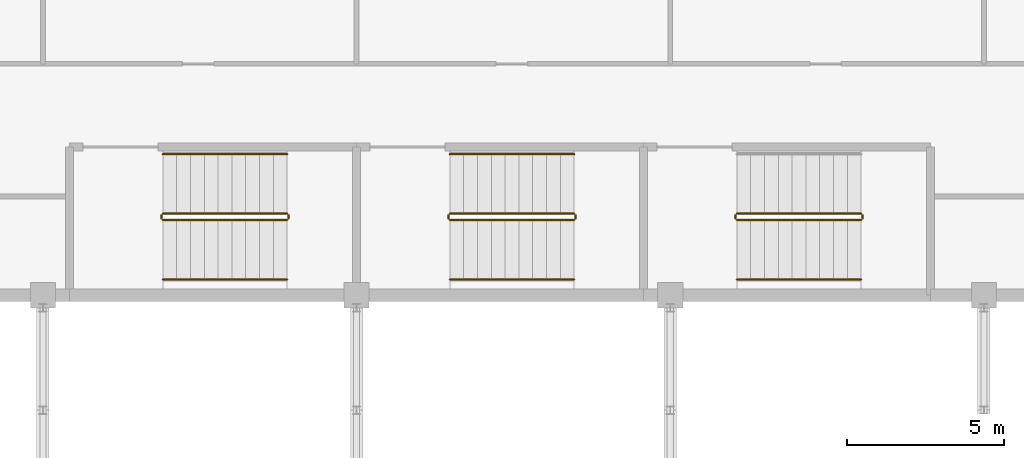
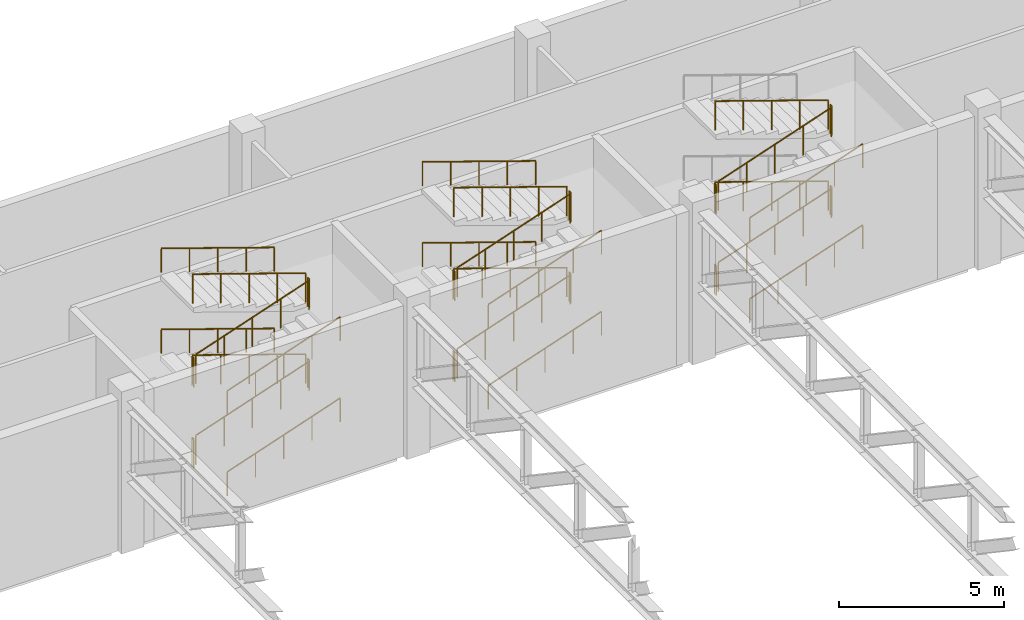
# One storey, part 50 of 51: 34 railings.
"""IFC4 building model written with IfcOpenShell, lengths in metres."""

from ifc_helpers import new_model, si_unit, direction, frame, origin, origin_2d, place, context, subcontext, project, spatial, circle, extrude, material, type_object, element, save


model = new_model("IFC4")

# Units and contexts
model_context = context("Model", 3, precision=1e-05, world=origin(), true_north=direction((0.0, 1.0)))
body_context = subcontext(model_context, "Body", "Model", "MODEL_VIEW")
ifc_project = project(units=[si_unit("LENGTHUNIT", "METRE"), si_unit("AREAUNIT", "SQUARE_METRE"), si_unit("VOLUMEUNIT", "CUBIC_METRE"), si_unit("PLANEANGLEUNIT", "RADIAN"), si_unit("MASSUNIT", "GRAM", prefix="KILO")], contexts=[model_context])

# Site, building, storey
site_placement = place(None, origin())
site = spatial("IfcSite", under=ifc_project, at=site_placement, CompositionType="ELEMENT")
building_placement = place(site_placement, origin())
building = spatial("IfcBuilding", under=site, at=building_placement, Name="Jabali Bay Hotel Tower and Convention Centre", CompositionType="ELEMENT")
storey_placement = place(building_placement, frame((0.0, 0.0, 9.0)))
storey = spatial("IfcBuildingStorey", under=building, at=storey_placement, Name="L01", CompositionType="ELEMENT", Elevation=9.0)

# Railings
ifc_material = material(Name="Stainless steel 304", Category="steel")
railing_type_1 = type_object("IfcRailingType", Name="CC Stair Guard 1100", PredefinedType="GUARDRAIL", material=ifc_material)
railing_1_placement = place(storey_placement, frame((184.52490234375, 102.39990234375, 0.14990234375)))
element("IfcRailing", 1, at=railing_1_placement, inside=storey, type_object=railing_type_1, Name="L01 CC-STN1 stair guard 1", PredefinedType="GUARDRAIL", context=body_context, shape_type="SweptSolid", body=[
    extrude(circle(Radius=0.02392578125, at=origin_2d()), frame((0.0, 0.0, 1.076171875), z_axis=(0.946508163028, 0.0, 0.322679868168), x_axis=(0.0, 1.0, 0.0)), (0.0, 0.0, 1.0), 4.18408203125),
    extrude(circle(Radius=0.02099609375, at=origin_2d()), origin(), (0.0, 0.0, 1.0), 1.052001953125),
    extrude(circle(Radius=0.02099609375, at=origin_2d()), frame((0.989990234375, 0.0, 0.33740234375)), (0.0, 0.0, 1.0), 1.052001953125),
    extrude(circle(Radius=0.02099609375, at=origin_2d()), frame((1.97998046875, 0.0, 0.675048828125)), (0.0, 0.0, 1.0), 1.052001953125),
    extrude(circle(Radius=0.02099609375, at=origin_2d()), frame((2.97021484375, 0.0, 1.0126953125)), (0.0, 0.0, 1.0), 1.052001953125),
    extrude(circle(Radius=0.02099609375, at=origin_2d()), frame((3.960205078125, 0.0, 1.35009765625)), (0.0, 0.0, 1.0), 1.052001953125),
])
railing_2_placement = place(storey_placement, frame((188.534912109375, 102.449951171875, 1.5)))
element("IfcRailing", 2, at=railing_2_placement, inside=storey, type_object=railing_type_1, Name="L01 CC-STN1 stair guard 2", PredefinedType="GUARDRAIL", context=body_context, shape_type="SweptSolid", body=[
    extrude(circle(Radius=0.02392578125, at=origin_2d()), frame((0.0, 0.0, 1.076171875), z_axis=(0.0, 1.0, 0.0), x_axis=(-1.0, 0.0, 0.0)), (0.0, 0.0, 1.0), 0.10009765625),
    extrude(circle(Radius=0.02099609375, at=origin_2d()), origin(), (0.0, 0.0, 1.0), 1.052001953125),
    extrude(circle(Radius=0.02099609375, at=origin_2d()), frame((0.0, 0.10009765625, 0.0)), (0.0, 0.0, 1.0), 1.052001953125),
])
railing_3_placement = place(storey_placement, frame((188.485107421875, 102.60009765625, 1.64990234375)))
element("IfcRailing", 3, at=railing_3_placement, inside=storey, type_object=railing_type_1, Name="L01 CC-STN1 stair guard 3", PredefinedType="GUARDRAIL", context=body_context, shape_type="SweptSolid", body=[
    extrude(circle(Radius=0.02392578125, at=origin_2d()), frame((0.0, 0.0, 1.076171875), z_axis=(-0.946508163028, 0.0, 0.322679868168), x_axis=(0.0, -1.0, 0.0)), (0.0, 0.0, 1.0), 4.18408203125),
    extrude(circle(Radius=0.02099609375, at=origin_2d()), origin(), (0.0, 0.0, 1.0), 1.052001953125),
    extrude(circle(Radius=0.02099609375, at=origin_2d()), frame((-0.989990234375, 0.0, 0.33740234375)), (0.0, 0.0, 1.0), 1.052001953125),
    extrude(circle(Radius=0.02099609375, at=origin_2d()), frame((-1.97998046875, 0.0, 0.675048828125)), (0.0, 0.0, 1.0), 1.052001953125),
    extrude(circle(Radius=0.02099609375, at=origin_2d()), frame((-2.97021484375, 0.0, 1.0126953125)), (0.0, 0.0, 1.0), 1.052001953125),
    extrude(circle(Radius=0.02099609375, at=origin_2d()), frame((-3.960205078125, 0.0, 1.35009765625)), (0.0, 0.0, 1.0), 1.052001953125),
])
railing_4_placement = place(storey_placement, frame((184.47509765625, 102.449951171875, 3.0)))
element("IfcRailing", 4, at=railing_4_placement, inside=storey, type_object=railing_type_1, Name="L01 CC-STN1 stair guard 4", PredefinedType="GUARDRAIL", context=body_context, shape_type="SweptSolid", body=[
    extrude(circle(Radius=0.02392578125, at=origin_2d()), frame((0.0, 0.0, 1.076171875), z_axis=(0.0, 1.0, 0.0), x_axis=(-1.0, 0.0, 0.0)), (0.0, 0.0, 1.0), 0.10009765625),
    extrude(circle(Radius=0.02099609375, at=origin_2d()), origin(), (0.0, 0.0, 1.0), 1.052001953125),
    extrude(circle(Radius=0.02099609375, at=origin_2d()), frame((0.0, 0.10009765625, 0.0)), (0.0, 0.0, 1.0), 1.052001953125),
])
railing_5_placement = place(storey_placement, frame((184.52490234375, 102.39990234375, 3.14990234375)))
element("IfcRailing", 5, at=railing_5_placement, inside=storey, type_object=railing_type_1, Name="L01 CC-STN1 stair guard 5", PredefinedType="GUARDRAIL", context=body_context, shape_type="SweptSolid", body=[
    extrude(circle(Radius=0.02392578125, at=origin_2d()), frame((0.0, 0.0, 1.076171875), z_axis=(0.946508163028, 0.0, 0.322679868168), x_axis=(0.0, 1.0, 0.0)), (0.0, 0.0, 1.0), 4.18408203125),
    extrude(circle(Radius=0.02099609375, at=origin_2d()), origin(), (0.0, 0.0, 1.0), 1.052001953125),
    extrude(circle(Radius=0.02099609375, at=origin_2d()), frame((0.989990234375, 0.0, 0.33740234375)), (0.0, 0.0, 1.0), 1.052001953125),
    extrude(circle(Radius=0.02099609375, at=origin_2d()), frame((1.97998046875, 0.0, 0.675048828125)), (0.0, 0.0, 1.0), 1.052001953125),
    extrude(circle(Radius=0.02099609375, at=origin_2d()), frame((2.97021484375, 0.0, 1.0126953125)), (0.0, 0.0, 1.0), 1.052001953125),
    extrude(circle(Radius=0.02099609375, at=origin_2d()), frame((3.960205078125, 0.0, 1.35009765625)), (0.0, 0.0, 1.0), 1.052001953125),
])
railing_6_placement = place(storey_placement, frame((188.534912109375, 102.449951171875, 4.5)))
element("IfcRailing", 6, at=railing_6_placement, inside=storey, type_object=railing_type_1, Name="L01 CC-STN1 stair guard 6", PredefinedType="GUARDRAIL", context=body_context, shape_type="SweptSolid", body=[
    extrude(circle(Radius=0.02392578125, at=origin_2d()), frame((0.0, 0.0, 1.076171875), z_axis=(0.0, 1.0, 0.0), x_axis=(-1.0, 0.0, 0.0)), (0.0, 0.0, 1.0), 0.10009765625),
    extrude(circle(Radius=0.02099609375, at=origin_2d()), origin(), (0.0, 0.0, 1.0), 1.052001953125),
    extrude(circle(Radius=0.02099609375, at=origin_2d()), frame((0.0, 0.10009765625, 0.0)), (0.0, 0.0, 1.0), 1.052001953125),
])
railing_7_placement = place(storey_placement, frame((188.485107421875, 102.60009765625, 4.64990234375)))
element("IfcRailing", 7, at=railing_7_placement, inside=storey, type_object=railing_type_1, Name="L01 CC-STN1 stair guard 7", PredefinedType="GUARDRAIL", context=body_context, shape_type="SweptSolid", body=[
    extrude(circle(Radius=0.02392578125, at=origin_2d()), frame((0.0, 0.0, 1.076171875), z_axis=(-0.946508163028, 0.0, 0.322679868168), x_axis=(0.0, -1.0, 0.0)), (0.0, 0.0, 1.0), 4.18408203125),
    extrude(circle(Radius=0.02099609375, at=origin_2d()), origin(), (0.0, 0.0, 1.0), 1.052001953125),
    extrude(circle(Radius=0.02099609375, at=origin_2d()), frame((-0.989990234375, 0.0, 0.33740234375)), (0.0, 0.0, 1.0), 1.052001953125),
    extrude(circle(Radius=0.02099609375, at=origin_2d()), frame((-1.97998046875, 0.0, 0.675048828125)), (0.0, 0.0, 1.0), 1.052001953125),
    extrude(circle(Radius=0.02099609375, at=origin_2d()), frame((-2.97021484375, 0.0, 1.0126953125)), (0.0, 0.0, 1.0), 1.052001953125),
    extrude(circle(Radius=0.02099609375, at=origin_2d()), frame((-3.960205078125, 0.0, 1.35009765625)), (0.0, 0.0, 1.0), 1.052001953125),
])
railing_8_placement = place(storey_placement, frame((184.47509765625, 102.449951171875, 0.0)))
element("IfcRailing", 8, at=railing_8_placement, inside=storey, type_object=railing_type_1, Name="L01 CC-STN1 stair guard 8", PredefinedType="GUARDRAIL", context=body_context, shape_type="SweptSolid", body=[
    extrude(circle(Radius=0.02392578125, at=origin_2d()), frame((0.0, 0.0, 1.076171875), z_axis=(0.0, 1.0, 0.0), x_axis=(-1.0, 0.0, 0.0)), (0.0, 0.0, 1.0), 0.10009765625),
    extrude(circle(Radius=0.02099609375, at=origin_2d()), origin(), (0.0, 0.0, 1.0), 1.052001953125),
    extrude(circle(Radius=0.02099609375, at=origin_2d()), frame((0.0, 0.10009765625, 0.0)), (0.0, 0.0, 1.0), 1.052001953125),
])
railing_9_placement = place(storey_placement, frame((193.675048828125, 102.39990234375, 0.14990234375)))
element("IfcRailing", 9, at=railing_9_placement, inside=storey, type_object=railing_type_1, Name="L01 CC-STN2 stair guard 1", PredefinedType="GUARDRAIL", context=body_context, shape_type="SweptSolid", body=[
    extrude(circle(Radius=0.02392578125, at=origin_2d()), frame((0.0, 0.0, 1.076171875), z_axis=(0.946502086907, 0.0, 0.322697690542), x_axis=(0.0, 1.0, 0.0)), (0.0, 0.0, 1.0), 4.183837890625),
    extrude(circle(Radius=0.02099609375, at=origin_2d()), origin(), (0.0, 0.0, 1.0), 1.052001953125),
    extrude(circle(Radius=0.02099609375, at=origin_2d()), frame((0.989990234375, 0.0, 0.33740234375)), (0.0, 0.0, 1.0), 1.052001953125),
    extrude(circle(Radius=0.02099609375, at=origin_2d()), frame((1.97998046875, 0.0, 0.675048828125)), (0.0, 0.0, 1.0), 1.052001953125),
    extrude(circle(Radius=0.02099609375, at=origin_2d()), frame((2.969970703125, 0.0, 1.0126953125)), (0.0, 0.0, 1.0), 1.052001953125),
    extrude(circle(Radius=0.02099609375, at=origin_2d()), frame((3.9599609375, 0.0, 1.35009765625)), (0.0, 0.0, 1.0), 1.052001953125),
])
railing_10_placement = place(storey_placement, frame((197.68505859375, 102.449951171875, 1.5)))
element("IfcRailing", 10, at=railing_10_placement, inside=storey, type_object=railing_type_1, Name="L01 CC-STN2 stair guard 2", PredefinedType="GUARDRAIL", context=body_context, shape_type="SweptSolid", body=[
    extrude(circle(Radius=0.02392578125, at=origin_2d()), frame((0.0, 0.0, 1.076171875), z_axis=(0.0, 1.0, 0.0), x_axis=(-1.0, 0.0, 0.0)), (0.0, 0.0, 1.0), 0.10009765625),
    extrude(circle(Radius=0.02099609375, at=origin_2d()), origin(), (0.0, 0.0, 1.0), 1.052001953125),
    extrude(circle(Radius=0.02099609375, at=origin_2d()), frame((0.0, 0.10009765625, 0.0)), (0.0, 0.0, 1.0), 1.052001953125),
])
railing_11_placement = place(storey_placement, frame((197.635009765625, 102.60009765625, 1.64990234375)))
element("IfcRailing", 11, at=railing_11_placement, inside=storey, type_object=railing_type_1, Name="L01 CC-STN2 stair guard 3", PredefinedType="GUARDRAIL", context=body_context, shape_type="SweptSolid", body=[
    extrude(circle(Radius=0.02392578125, at=origin_2d()), frame((0.0, 0.0, 1.076171875), z_axis=(-0.946502086907, 0.0, 0.322697690542), x_axis=(0.0, -1.0, 0.0)), (0.0, 0.0, 1.0), 4.183837890625),
    extrude(circle(Radius=0.02099609375, at=origin_2d()), origin(), (0.0, 0.0, 1.0), 1.052001953125),
    extrude(circle(Radius=0.02099609375, at=origin_2d()), frame((-0.989990234375, 0.0, 0.33740234375)), (0.0, 0.0, 1.0), 1.052001953125),
    extrude(circle(Radius=0.02099609375, at=origin_2d()), frame((-1.97998046875, 0.0, 0.675048828125)), (0.0, 0.0, 1.0), 1.052001953125),
    extrude(circle(Radius=0.02099609375, at=origin_2d()), frame((-2.969970703125, 0.0, 1.0126953125)), (0.0, 0.0, 1.0), 1.052001953125),
    extrude(circle(Radius=0.02099609375, at=origin_2d()), frame((-3.9599609375, 0.0, 1.35009765625)), (0.0, 0.0, 1.0), 1.052001953125),
])
railing_12_placement = place(storey_placement, frame((193.625, 102.449951171875, 3.0)))
element("IfcRailing", 12, at=railing_12_placement, inside=storey, type_object=railing_type_1, Name="L01 CC-STN2 stair guard 4", PredefinedType="GUARDRAIL", context=body_context, shape_type="SweptSolid", body=[
    extrude(circle(Radius=0.02392578125, at=origin_2d()), frame((0.0, 0.0, 1.076171875), z_axis=(0.0, 1.0, 0.0), x_axis=(-1.0, 0.0, 0.0)), (0.0, 0.0, 1.0), 0.10009765625),
    extrude(circle(Radius=0.02099609375, at=origin_2d()), origin(), (0.0, 0.0, 1.0), 1.052001953125),
    extrude(circle(Radius=0.02099609375, at=origin_2d()), frame((0.0, 0.10009765625, 0.0)), (0.0, 0.0, 1.0), 1.052001953125),
])
railing_13_placement = place(storey_placement, frame((193.675048828125, 102.39990234375, 3.14990234375)))
element("IfcRailing", 13, at=railing_13_placement, inside=storey, type_object=railing_type_1, Name="L01 CC-STN2 stair guard 5", PredefinedType="GUARDRAIL", context=body_context, shape_type="SweptSolid", body=[
    extrude(circle(Radius=0.02392578125, at=origin_2d()), frame((0.0, 0.0, 1.076171875), z_axis=(0.946502086907, 0.0, 0.322697690542), x_axis=(0.0, 1.0, 0.0)), (0.0, 0.0, 1.0), 4.183837890625),
    extrude(circle(Radius=0.02099609375, at=origin_2d()), origin(), (0.0, 0.0, 1.0), 1.052001953125),
    extrude(circle(Radius=0.02099609375, at=origin_2d()), frame((0.989990234375, 0.0, 0.33740234375)), (0.0, 0.0, 1.0), 1.052001953125),
    extrude(circle(Radius=0.02099609375, at=origin_2d()), frame((1.97998046875, 0.0, 0.675048828125)), (0.0, 0.0, 1.0), 1.052001953125),
    extrude(circle(Radius=0.02099609375, at=origin_2d()), frame((2.969970703125, 0.0, 1.0126953125)), (0.0, 0.0, 1.0), 1.052001953125),
    extrude(circle(Radius=0.02099609375, at=origin_2d()), frame((3.9599609375, 0.0, 1.35009765625)), (0.0, 0.0, 1.0), 1.052001953125),
])
railing_14_placement = place(storey_placement, frame((197.68505859375, 102.449951171875, 4.5)))
element("IfcRailing", 14, at=railing_14_placement, inside=storey, type_object=railing_type_1, Name="L01 CC-STN2 stair guard 6", PredefinedType="GUARDRAIL", context=body_context, shape_type="SweptSolid", body=[
    extrude(circle(Radius=0.02392578125, at=origin_2d()), frame((0.0, 0.0, 1.076171875), z_axis=(0.0, 1.0, 0.0), x_axis=(-1.0, 0.0, 0.0)), (0.0, 0.0, 1.0), 0.10009765625),
    extrude(circle(Radius=0.02099609375, at=origin_2d()), origin(), (0.0, 0.0, 1.0), 1.052001953125),
    extrude(circle(Radius=0.02099609375, at=origin_2d()), frame((0.0, 0.10009765625, 0.0)), (0.0, 0.0, 1.0), 1.052001953125),
])
railing_15_placement = place(storey_placement, frame((197.635009765625, 102.60009765625, 4.64990234375)))
element("IfcRailing", 15, at=railing_15_placement, inside=storey, type_object=railing_type_1, Name="L01 CC-STN2 stair guard 7", PredefinedType="GUARDRAIL", context=body_context, shape_type="SweptSolid", body=[
    extrude(circle(Radius=0.02392578125, at=origin_2d()), frame((0.0, 0.0, 1.076171875), z_axis=(-0.946502086907, 0.0, 0.322697690542), x_axis=(0.0, -1.0, 0.0)), (0.0, 0.0, 1.0), 4.183837890625),
    extrude(circle(Radius=0.02099609375, at=origin_2d()), origin(), (0.0, 0.0, 1.0), 1.052001953125),
    extrude(circle(Radius=0.02099609375, at=origin_2d()), frame((-0.989990234375, 0.0, 0.33740234375)), (0.0, 0.0, 1.0), 1.052001953125),
    extrude(circle(Radius=0.02099609375, at=origin_2d()), frame((-1.97998046875, 0.0, 0.675048828125)), (0.0, 0.0, 1.0), 1.052001953125),
    extrude(circle(Radius=0.02099609375, at=origin_2d()), frame((-2.969970703125, 0.0, 1.0126953125)), (0.0, 0.0, 1.0), 1.052001953125),
    extrude(circle(Radius=0.02099609375, at=origin_2d()), frame((-3.9599609375, 0.0, 1.35009765625)), (0.0, 0.0, 1.0), 1.052001953125),
])
railing_16_placement = place(storey_placement, frame((193.625, 102.449951171875, 0.0)))
element("IfcRailing", 16, at=railing_16_placement, inside=storey, type_object=railing_type_1, Name="L01 CC-STN2 stair guard 8", PredefinedType="GUARDRAIL", context=body_context, shape_type="SweptSolid", body=[
    extrude(circle(Radius=0.02392578125, at=origin_2d()), frame((0.0, 0.0, 1.076171875), z_axis=(0.0, 1.0, 0.0), x_axis=(-1.0, 0.0, 0.0)), (0.0, 0.0, 1.0), 0.10009765625),
    extrude(circle(Radius=0.02099609375, at=origin_2d()), origin(), (0.0, 0.0, 1.0), 1.052001953125),
    extrude(circle(Radius=0.02099609375, at=origin_2d()), frame((0.0, 0.10009765625, 0.0)), (0.0, 0.0, 1.0), 1.052001953125),
])
railing_17_placement = place(storey_placement, frame((202.824951171875, 102.39990234375, 0.14990234375)))
element("IfcRailing", 17, at=railing_17_placement, inside=storey, type_object=railing_type_1, Name="L01 CC-STN3 stair guard 1", PredefinedType="GUARDRAIL", context=body_context, shape_type="SweptSolid", body=[
    extrude(circle(Radius=0.02392578125, at=origin_2d()), frame((0.0, 0.0, 1.076171875), z_axis=(0.946502086907, 0.0, 0.322697690542), x_axis=(0.0, 1.0, 0.0)), (0.0, 0.0, 1.0), 4.183837890625),
    extrude(circle(Radius=0.02099609375, at=origin_2d()), origin(), (0.0, 0.0, 1.0), 1.052001953125),
    extrude(circle(Radius=0.02099609375, at=origin_2d()), frame((0.989990234375, 0.0, 0.33740234375)), (0.0, 0.0, 1.0), 1.052001953125),
    extrude(circle(Radius=0.02099609375, at=origin_2d()), frame((1.97998046875, 0.0, 0.675048828125)), (0.0, 0.0, 1.0), 1.052001953125),
    extrude(circle(Radius=0.02099609375, at=origin_2d()), frame((2.969970703125, 0.0, 1.0126953125)), (0.0, 0.0, 1.0), 1.052001953125),
    extrude(circle(Radius=0.02099609375, at=origin_2d()), frame((3.9599609375, 0.0, 1.35009765625)), (0.0, 0.0, 1.0), 1.052001953125),
])
railing_18_placement = place(storey_placement, frame((206.8349609375, 102.449951171875, 1.5)))
element("IfcRailing", 18, at=railing_18_placement, inside=storey, type_object=railing_type_1, Name="L01 CC-STN3 stair guard 2", PredefinedType="GUARDRAIL", context=body_context, shape_type="SweptSolid", body=[
    extrude(circle(Radius=0.02392578125, at=origin_2d()), frame((0.0, 0.0, 1.076171875), z_axis=(0.0, 1.0, 0.0), x_axis=(-1.0, 0.0, 0.0)), (0.0, 0.0, 1.0), 0.10009765625),
    extrude(circle(Radius=0.02099609375, at=origin_2d()), origin(), (0.0, 0.0, 1.0), 1.052001953125),
    extrude(circle(Radius=0.02099609375, at=origin_2d()), frame((0.0, 0.10009765625, 0.0)), (0.0, 0.0, 1.0), 1.052001953125),
])
railing_19_placement = place(storey_placement, frame((206.784912109375, 102.60009765625, 1.64990234375)))
element("IfcRailing", 19, at=railing_19_placement, inside=storey, type_object=railing_type_1, Name="L01 CC-STN3 stair guard 3", PredefinedType="GUARDRAIL", context=body_context, shape_type="SweptSolid", body=[
    extrude(circle(Radius=0.02392578125, at=origin_2d()), frame((0.0, 0.0, 1.076171875), z_axis=(-0.946502086907, 0.0, 0.322697690542), x_axis=(0.0, -1.0, 0.0)), (0.0, 0.0, 1.0), 4.183837890625),
    extrude(circle(Radius=0.02099609375, at=origin_2d()), origin(), (0.0, 0.0, 1.0), 1.052001953125),
    extrude(circle(Radius=0.02099609375, at=origin_2d()), frame((-0.989990234375, 0.0, 0.33740234375)), (0.0, 0.0, 1.0), 1.052001953125),
    extrude(circle(Radius=0.02099609375, at=origin_2d()), frame((-1.97998046875, 0.0, 0.675048828125)), (0.0, 0.0, 1.0), 1.052001953125),
    extrude(circle(Radius=0.02099609375, at=origin_2d()), frame((-2.969970703125, 0.0, 1.0126953125)), (0.0, 0.0, 1.0), 1.052001953125),
    extrude(circle(Radius=0.02099609375, at=origin_2d()), frame((-3.9599609375, 0.0, 1.35009765625)), (0.0, 0.0, 1.0), 1.052001953125),
])
railing_20_placement = place(storey_placement, frame((202.77490234375, 102.449951171875, 3.0)))
element("IfcRailing", 20, at=railing_20_placement, inside=storey, type_object=railing_type_1, Name="L01 CC-STN3 stair guard 4", PredefinedType="GUARDRAIL", context=body_context, shape_type="SweptSolid", body=[
    extrude(circle(Radius=0.02392578125, at=origin_2d()), frame((0.0, 0.0, 1.076171875), z_axis=(0.0, 1.0, 0.0), x_axis=(-1.0, 0.0, 0.0)), (0.0, 0.0, 1.0), 0.10009765625),
    extrude(circle(Radius=0.02099609375, at=origin_2d()), origin(), (0.0, 0.0, 1.0), 1.052001953125),
    extrude(circle(Radius=0.02099609375, at=origin_2d()), frame((0.0, 0.10009765625, 0.0)), (0.0, 0.0, 1.0), 1.052001953125),
])
railing_21_placement = place(storey_placement, frame((202.824951171875, 102.39990234375, 3.14990234375)))
element("IfcRailing", 21, at=railing_21_placement, inside=storey, type_object=railing_type_1, Name="L01 CC-STN3 stair guard 5", PredefinedType="GUARDRAIL", context=body_context, shape_type="SweptSolid", body=[
    extrude(circle(Radius=0.02392578125, at=origin_2d()), frame((0.0, 0.0, 1.076171875), z_axis=(0.946502086907, 0.0, 0.322697690542), x_axis=(0.0, 1.0, 0.0)), (0.0, 0.0, 1.0), 4.183837890625),
    extrude(circle(Radius=0.02099609375, at=origin_2d()), origin(), (0.0, 0.0, 1.0), 1.052001953125),
    extrude(circle(Radius=0.02099609375, at=origin_2d()), frame((0.989990234375, 0.0, 0.33740234375)), (0.0, 0.0, 1.0), 1.052001953125),
    extrude(circle(Radius=0.02099609375, at=origin_2d()), frame((1.97998046875, 0.0, 0.675048828125)), (0.0, 0.0, 1.0), 1.052001953125),
    extrude(circle(Radius=0.02099609375, at=origin_2d()), frame((2.969970703125, 0.0, 1.0126953125)), (0.0, 0.0, 1.0), 1.052001953125),
    extrude(circle(Radius=0.02099609375, at=origin_2d()), frame((3.9599609375, 0.0, 1.35009765625)), (0.0, 0.0, 1.0), 1.052001953125),
])
railing_22_placement = place(storey_placement, frame((206.8349609375, 102.449951171875, 4.5)))
element("IfcRailing", 22, at=railing_22_placement, inside=storey, type_object=railing_type_1, Name="L01 CC-STN3 stair guard 6", PredefinedType="GUARDRAIL", context=body_context, shape_type="SweptSolid", body=[
    extrude(circle(Radius=0.02392578125, at=origin_2d()), frame((0.0, 0.0, 1.076171875), z_axis=(0.0, 1.0, 0.0), x_axis=(-1.0, 0.0, 0.0)), (0.0, 0.0, 1.0), 0.10009765625),
    extrude(circle(Radius=0.02099609375, at=origin_2d()), origin(), (0.0, 0.0, 1.0), 1.052001953125),
    extrude(circle(Radius=0.02099609375, at=origin_2d()), frame((0.0, 0.10009765625, 0.0)), (0.0, 0.0, 1.0), 1.052001953125),
])
railing_23_placement = place(storey_placement, frame((206.784912109375, 102.60009765625, 4.64990234375)))
element("IfcRailing", 23, at=railing_23_placement, inside=storey, type_object=railing_type_1, Name="L01 CC-STN3 stair guard 7", PredefinedType="GUARDRAIL", context=body_context, shape_type="SweptSolid", body=[
    extrude(circle(Radius=0.02392578125, at=origin_2d()), frame((0.0, 0.0, 1.076171875), z_axis=(-0.946502086907, 0.0, 0.322697690542), x_axis=(0.0, -1.0, 0.0)), (0.0, 0.0, 1.0), 4.183837890625),
    extrude(circle(Radius=0.02099609375, at=origin_2d()), origin(), (0.0, 0.0, 1.0), 1.052001953125),
    extrude(circle(Radius=0.02099609375, at=origin_2d()), frame((-0.989990234375, 0.0, 0.33740234375)), (0.0, 0.0, 1.0), 1.052001953125),
    extrude(circle(Radius=0.02099609375, at=origin_2d()), frame((-1.97998046875, 0.0, 0.675048828125)), (0.0, 0.0, 1.0), 1.052001953125),
    extrude(circle(Radius=0.02099609375, at=origin_2d()), frame((-2.969970703125, 0.0, 1.0126953125)), (0.0, 0.0, 1.0), 1.052001953125),
    extrude(circle(Radius=0.02099609375, at=origin_2d()), frame((-3.9599609375, 0.0, 1.35009765625)), (0.0, 0.0, 1.0), 1.052001953125),
])
railing_24_placement = place(storey_placement, frame((202.77490234375, 102.449951171875, 0.0)))
element("IfcRailing", 24, at=railing_24_placement, inside=storey, type_object=railing_type_1, Name="L01 CC-STN3 stair guard 8", PredefinedType="GUARDRAIL", context=body_context, shape_type="SweptSolid", body=[
    extrude(circle(Radius=0.02392578125, at=origin_2d()), frame((0.0, 0.0, 1.076171875), z_axis=(0.0, 1.0, 0.0), x_axis=(-1.0, 0.0, 0.0)), (0.0, 0.0, 1.0), 0.10009765625),
    extrude(circle(Radius=0.02099609375, at=origin_2d()), origin(), (0.0, 0.0, 1.0), 1.052001953125),
    extrude(circle(Radius=0.02099609375, at=origin_2d()), frame((0.0, 0.10009765625, 0.0)), (0.0, 0.0, 1.0), 1.052001953125),
])
railing_type_2 = type_object("IfcRailingType", Name="CC Stair Handrail 900", PredefinedType="HANDRAIL", material=ifc_material)
railing_25_placement = place(storey_placement, frame((184.52490234375, 100.5, 0.14990234375)))
element("IfcRailing", 25, at=railing_25_placement, inside=storey, type_object=railing_type_2, Name="L01 CC-STN1 stair handrail 1", PredefinedType="HANDRAIL", context=body_context, shape_type="SweptSolid", body=[
    extrude(circle(Radius=0.02392578125, at=origin_2d()), frame((0.0, 0.0, 0.8759765625), z_axis=(0.946508163028, 0.0, 0.322679868168), x_axis=(0.0, 1.0, 0.0)), (0.0, 0.0, 1.0), 4.18408203125),
    extrude(circle(Radius=0.02099609375, at=origin_2d()), origin(), (0.0, 0.0, 1.0), 0.851806640625),
    extrude(circle(Radius=0.02099609375, at=origin_2d()), frame((0.989990234375, 0.0, 0.33740234375)), (0.0, 0.0, 1.0), 0.851806640625),
    extrude(circle(Radius=0.02099609375, at=origin_2d()), frame((1.97998046875, 0.0, 0.675048828125)), (0.0, 0.0, 1.0), 0.851806640625),
    extrude(circle(Radius=0.02099609375, at=origin_2d()), frame((2.97021484375, 0.0, 1.0126953125)), (0.0, 0.0, 1.0), 0.851806640625),
    extrude(circle(Radius=0.02099609375, at=origin_2d()), frame((3.960205078125, 0.0, 1.35009765625)), (0.0, 0.0, 1.0), 0.851806640625),
])
railing_26_placement = place(storey_placement, frame((188.485107421875, 104.5, 1.64990234375)))
element("IfcRailing", 26, at=railing_26_placement, inside=storey, type_object=railing_type_2, Name="L01 CC-STN1 stair handrail 2", PredefinedType="HANDRAIL", context=body_context, shape_type="SweptSolid", body=[
    extrude(circle(Radius=0.02392578125, at=origin_2d()), frame((0.0, 0.0, 0.8759765625), z_axis=(-0.946508163028, 0.0, 0.322679868168), x_axis=(0.0, -1.0, 0.0)), (0.0, 0.0, 1.0), 4.18408203125),
    extrude(circle(Radius=0.02099609375, at=origin_2d()), origin(), (0.0, 0.0, 1.0), 0.851806640625),
    extrude(circle(Radius=0.02099609375, at=origin_2d()), frame((-0.989990234375, 0.0, 0.33740234375)), (0.0, 0.0, 1.0), 0.851806640625),
    extrude(circle(Radius=0.02099609375, at=origin_2d()), frame((-1.97998046875, 0.0, 0.675048828125)), (0.0, 0.0, 1.0), 0.851806640625),
    extrude(circle(Radius=0.02099609375, at=origin_2d()), frame((-2.97021484375, 0.0, 1.0126953125)), (0.0, 0.0, 1.0), 0.851806640625),
    extrude(circle(Radius=0.02099609375, at=origin_2d()), frame((-3.960205078125, 0.0, 1.35009765625)), (0.0, 0.0, 1.0), 0.851806640625),
])
railing_27_placement = place(storey_placement, frame((184.52490234375, 100.5, 3.14990234375)))
element("IfcRailing", 27, at=railing_27_placement, inside=storey, type_object=railing_type_2, Name="L01 CC-STN1 stair handrail 3", PredefinedType="HANDRAIL", context=body_context, shape_type="SweptSolid", body=[
    extrude(circle(Radius=0.02392578125, at=origin_2d()), frame((0.0, 0.0, 0.8759765625), z_axis=(0.946508163028, 0.0, 0.322679868168), x_axis=(0.0, 1.0, 0.0)), (0.0, 0.0, 1.0), 4.18408203125),
    extrude(circle(Radius=0.02099609375, at=origin_2d()), origin(), (0.0, 0.0, 1.0), 0.851806640625),
    extrude(circle(Radius=0.02099609375, at=origin_2d()), frame((0.989990234375, 0.0, 0.33740234375)), (0.0, 0.0, 1.0), 0.851806640625),
    extrude(circle(Radius=0.02099609375, at=origin_2d()), frame((1.97998046875, 0.0, 0.675048828125)), (0.0, 0.0, 1.0), 0.851806640625),
    extrude(circle(Radius=0.02099609375, at=origin_2d()), frame((2.97021484375, 0.0, 1.0126953125)), (0.0, 0.0, 1.0), 0.851806640625),
    extrude(circle(Radius=0.02099609375, at=origin_2d()), frame((3.960205078125, 0.0, 1.35009765625)), (0.0, 0.0, 1.0), 0.851806640625),
])
railing_28_placement = place(storey_placement, frame((188.485107421875, 104.5, 4.64990234375)))
element("IfcRailing", 28, at=railing_28_placement, inside=storey, type_object=railing_type_2, Name="L01 CC-STN1 stair handrail 4", PredefinedType="HANDRAIL", context=body_context, shape_type="SweptSolid", body=[
    extrude(circle(Radius=0.02392578125, at=origin_2d()), frame((0.0, 0.0, 0.8759765625), z_axis=(-0.946508163028, 0.0, 0.322679868168), x_axis=(0.0, -1.0, 0.0)), (0.0, 0.0, 1.0), 4.18408203125),
    extrude(circle(Radius=0.02099609375, at=origin_2d()), origin(), (0.0, 0.0, 1.0), 0.851806640625),
    extrude(circle(Radius=0.02099609375, at=origin_2d()), frame((-0.989990234375, 0.0, 0.33740234375)), (0.0, 0.0, 1.0), 0.851806640625),
    extrude(circle(Radius=0.02099609375, at=origin_2d()), frame((-1.97998046875, 0.0, 0.675048828125)), (0.0, 0.0, 1.0), 0.851806640625),
    extrude(circle(Radius=0.02099609375, at=origin_2d()), frame((-2.97021484375, 0.0, 1.0126953125)), (0.0, 0.0, 1.0), 0.851806640625),
    extrude(circle(Radius=0.02099609375, at=origin_2d()), frame((-3.960205078125, 0.0, 1.35009765625)), (0.0, 0.0, 1.0), 0.851806640625),
])
railing_29_placement = place(storey_placement, frame((193.675048828125, 100.5, 0.14990234375)))
element("IfcRailing", 29, at=railing_29_placement, inside=storey, type_object=railing_type_2, Name="L01 CC-STN2 stair handrail 1", PredefinedType="HANDRAIL", context=body_context, shape_type="SweptSolid", body=[
    extrude(circle(Radius=0.02392578125, at=origin_2d()), frame((0.0, 0.0, 0.8759765625), z_axis=(0.946502086907, 0.0, 0.322697690542), x_axis=(0.0, 1.0, 0.0)), (0.0, 0.0, 1.0), 4.183837890625),
    extrude(circle(Radius=0.02099609375, at=origin_2d()), origin(), (0.0, 0.0, 1.0), 0.851806640625),
    extrude(circle(Radius=0.02099609375, at=origin_2d()), frame((0.989990234375, 0.0, 0.33740234375)), (0.0, 0.0, 1.0), 0.851806640625),
    extrude(circle(Radius=0.02099609375, at=origin_2d()), frame((1.97998046875, 0.0, 0.675048828125)), (0.0, 0.0, 1.0), 0.851806640625),
    extrude(circle(Radius=0.02099609375, at=origin_2d()), frame((2.969970703125, 0.0, 1.0126953125)), (0.0, 0.0, 1.0), 0.851806640625),
    extrude(circle(Radius=0.02099609375, at=origin_2d()), frame((3.9599609375, 0.0, 1.35009765625)), (0.0, 0.0, 1.0), 0.851806640625),
])
railing_30_placement = place(storey_placement, frame((197.635009765625, 104.5, 1.64990234375)))
element("IfcRailing", 30, at=railing_30_placement, inside=storey, type_object=railing_type_2, Name="L01 CC-STN2 stair handrail 2", PredefinedType="HANDRAIL", context=body_context, shape_type="SweptSolid", body=[
    extrude(circle(Radius=0.02392578125, at=origin_2d()), frame((0.0, 0.0, 0.8759765625), z_axis=(-0.946502086907, 0.0, 0.322697690542), x_axis=(0.0, -1.0, 0.0)), (0.0, 0.0, 1.0), 4.183837890625),
    extrude(circle(Radius=0.02099609375, at=origin_2d()), origin(), (0.0, 0.0, 1.0), 0.851806640625),
    extrude(circle(Radius=0.02099609375, at=origin_2d()), frame((-0.989990234375, 0.0, 0.33740234375)), (0.0, 0.0, 1.0), 0.851806640625),
    extrude(circle(Radius=0.02099609375, at=origin_2d()), frame((-1.97998046875, 0.0, 0.675048828125)), (0.0, 0.0, 1.0), 0.851806640625),
    extrude(circle(Radius=0.02099609375, at=origin_2d()), frame((-2.969970703125, 0.0, 1.0126953125)), (0.0, 0.0, 1.0), 0.851806640625),
    extrude(circle(Radius=0.02099609375, at=origin_2d()), frame((-3.9599609375, 0.0, 1.35009765625)), (0.0, 0.0, 1.0), 0.851806640625),
])
railing_31_placement = place(storey_placement, frame((193.675048828125, 100.5, 3.14990234375)))
element("IfcRailing", 31, at=railing_31_placement, inside=storey, type_object=railing_type_2, Name="L01 CC-STN2 stair handrail 3", PredefinedType="HANDRAIL", context=body_context, shape_type="SweptSolid", body=[
    extrude(circle(Radius=0.02392578125, at=origin_2d()), frame((0.0, 0.0, 0.8759765625), z_axis=(0.946502086907, 0.0, 0.322697690542), x_axis=(0.0, 1.0, 0.0)), (0.0, 0.0, 1.0), 4.183837890625),
    extrude(circle(Radius=0.02099609375, at=origin_2d()), origin(), (0.0, 0.0, 1.0), 0.851806640625),
    extrude(circle(Radius=0.02099609375, at=origin_2d()), frame((0.989990234375, 0.0, 0.33740234375)), (0.0, 0.0, 1.0), 0.851806640625),
    extrude(circle(Radius=0.02099609375, at=origin_2d()), frame((1.97998046875, 0.0, 0.675048828125)), (0.0, 0.0, 1.0), 0.851806640625),
    extrude(circle(Radius=0.02099609375, at=origin_2d()), frame((2.969970703125, 0.0, 1.0126953125)), (0.0, 0.0, 1.0), 0.851806640625),
    extrude(circle(Radius=0.02099609375, at=origin_2d()), frame((3.9599609375, 0.0, 1.35009765625)), (0.0, 0.0, 1.0), 0.851806640625),
])
railing_32_placement = place(storey_placement, frame((197.635009765625, 104.5, 4.64990234375)))
element("IfcRailing", 32, at=railing_32_placement, inside=storey, type_object=railing_type_2, Name="L01 CC-STN2 stair handrail 4", PredefinedType="HANDRAIL", context=body_context, shape_type="SweptSolid", body=[
    extrude(circle(Radius=0.02392578125, at=origin_2d()), frame((0.0, 0.0, 0.8759765625), z_axis=(-0.946502086907, 0.0, 0.322697690542), x_axis=(0.0, -1.0, 0.0)), (0.0, 0.0, 1.0), 4.183837890625),
    extrude(circle(Radius=0.02099609375, at=origin_2d()), origin(), (0.0, 0.0, 1.0), 0.851806640625),
    extrude(circle(Radius=0.02099609375, at=origin_2d()), frame((-0.989990234375, 0.0, 0.33740234375)), (0.0, 0.0, 1.0), 0.851806640625),
    extrude(circle(Radius=0.02099609375, at=origin_2d()), frame((-1.97998046875, 0.0, 0.675048828125)), (0.0, 0.0, 1.0), 0.851806640625),
    extrude(circle(Radius=0.02099609375, at=origin_2d()), frame((-2.969970703125, 0.0, 1.0126953125)), (0.0, 0.0, 1.0), 0.851806640625),
    extrude(circle(Radius=0.02099609375, at=origin_2d()), frame((-3.9599609375, 0.0, 1.35009765625)), (0.0, 0.0, 1.0), 0.851806640625),
])
for number, where, name in (
    (33, (202.824951171875, 100.5, 0.14990234375), "L01 CC-STN3 stair handrail 1"),
    (34, (202.824951171875, 100.5, 3.14990234375), "L01 CC-STN3 stair handrail 3"),
):
    element("IfcRailing", number, at=place(storey_placement, frame(where)), inside=storey, type_object=railing_type_2, Name=name, PredefinedType="HANDRAIL", context=body_context, shape_type="SweptSolid", body=[
        extrude(circle(Radius=0.02392578125, at=origin_2d()), frame((0.0, 0.0, 0.8759765625), z_axis=(0.946502086907, 0.0, 0.322697690542), x_axis=(0.0, 1.0, 0.0)), (0.0, 0.0, 1.0), 4.183837890625),
        extrude(circle(Radius=0.02099609375, at=origin_2d()), origin(), (0.0, 0.0, 1.0), 0.851806640625),
        extrude(circle(Radius=0.02099609375, at=origin_2d()), frame((0.989990234375, 0.0, 0.33740234375)), (0.0, 0.0, 1.0), 0.851806640625),
        extrude(circle(Radius=0.02099609375, at=origin_2d()), frame((1.97998046875, 0.0, 0.675048828125)), (0.0, 0.0, 1.0), 0.851806640625),
        extrude(circle(Radius=0.02099609375, at=origin_2d()), frame((2.969970703125, 0.0, 1.0126953125)), (0.0, 0.0, 1.0), 0.851806640625),
        extrude(circle(Radius=0.02099609375, at=origin_2d()), frame((3.9599609375, 0.0, 1.35009765625)), (0.0, 0.0, 1.0), 0.851806640625),
    ])

save(model, "model.ifc")
